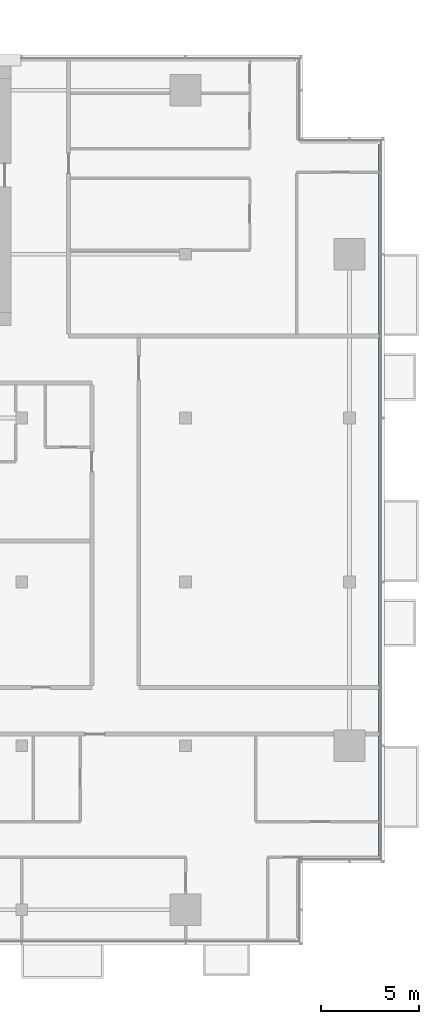
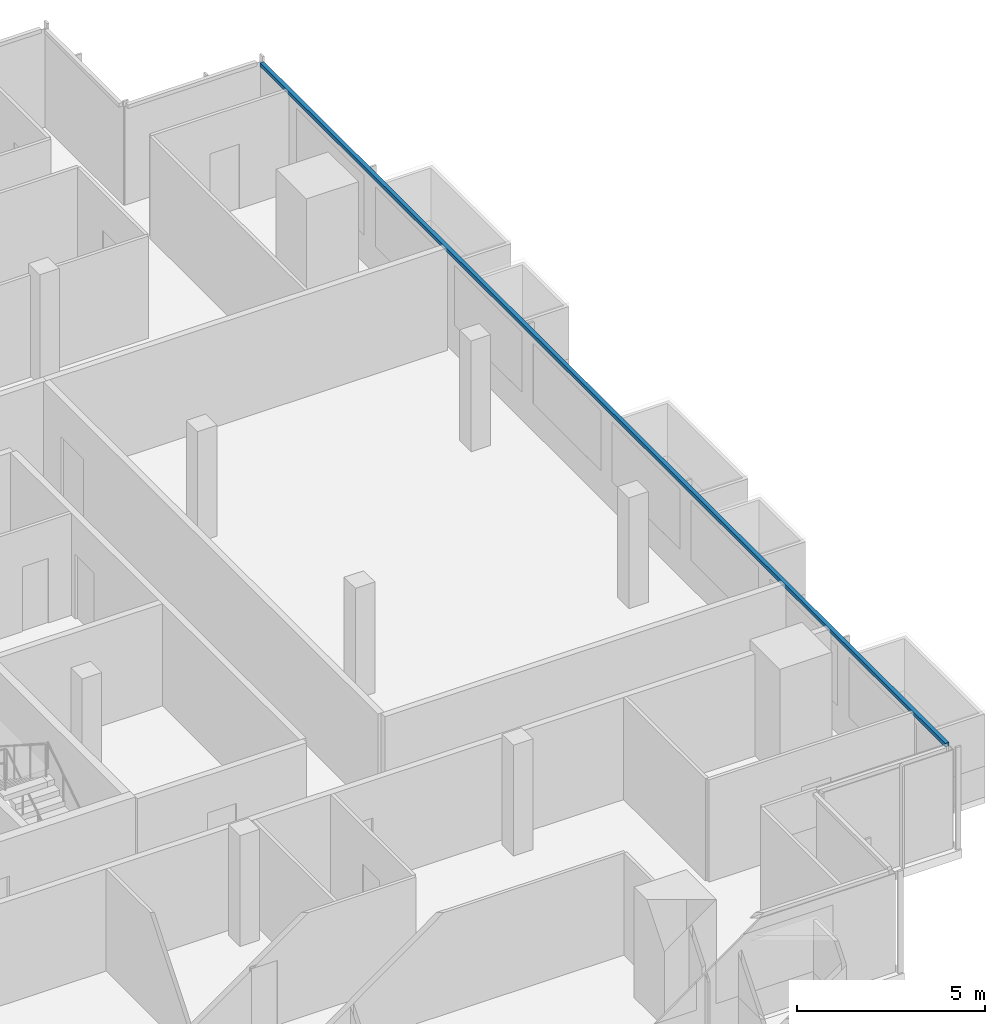
# One storey, part 12 of 27: 1 member, 1 element without a shape of its own.
"""IFC4 building model written with IfcOpenShell, lengths in metres."""

from ifc_helpers import new_model, si_unit, direction, frame, origin, origin_2d, place, context, subcontext, project, spatial, rectangle, extrude, material, material_profile, profile_set, type_object, element, aggregate, save


model = new_model("IFC4")

# Units and contexts
model_context = context("Model", 3, precision=1e-05, world=origin(), true_north=direction((0.0, 1.0)))
body_context = subcontext(model_context, "Body", "Model", "MODEL_VIEW")
ifc_project = project(units=[si_unit("LENGTHUNIT", "METRE"), si_unit("AREAUNIT", "SQUARE_METRE"), si_unit("VOLUMEUNIT", "CUBIC_METRE"), si_unit("PLANEANGLEUNIT", "RADIAN"), si_unit("MASSUNIT", "GRAM", prefix="KILO")], contexts=[model_context])

# Site, building, storey
site_placement = place(None, origin())
site = spatial("IfcSite", under=ifc_project, at=site_placement, CompositionType="ELEMENT")
building_placement = place(site_placement, origin())
building = spatial("IfcBuilding", under=site, at=building_placement, Name="Saffron Gate Tower", CompositionType="ELEMENT")
storey_placement = place(building_placement, frame((0.0, 0.0, 209.10009765625)))
storey = spatial("IfcBuildingStorey", under=building, at=storey_placement, Name="L50", CompositionType="ELEMENT", Elevation=209.10009765625)

# Curtain wall, member
ifc_material = material(Name="Aluminium, bronze anodised", Category="aluminium")
curtain_wall_type = type_object("IfcCurtainWallType", Name="CWS2 curtain wall side facades", PredefinedType="NOTDEFINED", material=ifc_material)
curtain_wall_placement = place(storey_placement, origin())
curtain_wall = element("IfcCurtainWall", 1, at=curtain_wall_placement, inside=storey, type_object=curtain_wall_type, Name="CWS2 run 4", PredefinedType="NOTDEFINED")
ifc_material_profile = material_profile(ifc_material, rectangle(XDim=0.1201171875, YDim=0.1201171875, at=origin_2d()))
ifc_profile_set = profile_set([ifc_material_profile], Name="Aluminium, bronze anodised")
member_type = type_object("IfcMemberType", Name="CWS2 head transom", PredefinedType="USERDEFINED", material=ifc_profile_set)
member_placement = place(storey_placement, frame((126.951904296875, 34.568115234375, 3.260009765625), z_axis=(0.0, 1.0, 0.0), x_axis=(-1.0, 0.0, 0.0)))
member = element("IfcMember", 2, at=member_placement, type_object=member_type, Name="CWS2 head transom", ObjectType="TRANSOM", PredefinedType="USERDEFINED", context=body_context, shape_type="SweptSolid", body=[
    extrude(rectangle(XDim=0.1201171875, YDim=0.1201171875, at=origin_2d()), origin(), (0.0, 0.0, 1.0), 36.4638671875),
])
aggregate(curtain_wall, [member])

save(model, "model.ifc")
